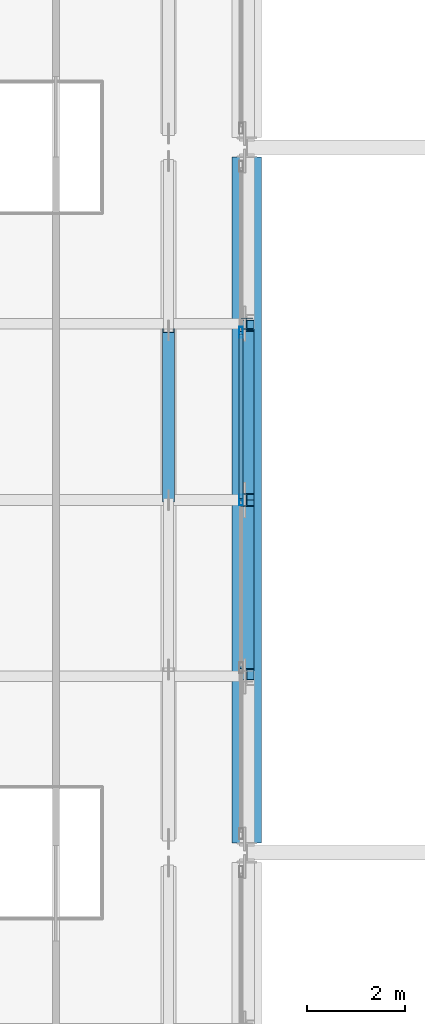
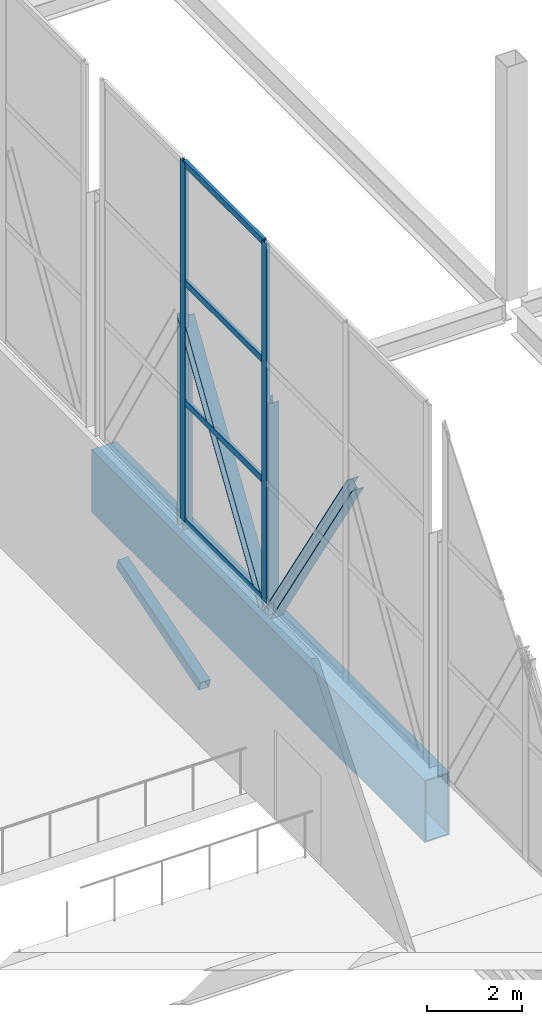
# One storey, part 62 of 191: 11 members, 1 beam, 1 element without a shape of its own.
"""IFC4 building model written with IfcOpenShell, lengths in metres."""

import ifcopenshell
import ifcopenshell.guid

model = None  # the IFC model being written
_history = None  # IfcOwnerHistory: only IFC2X3 demands one
_inside = {}  # id of a spatial element -> (the spatial element, [elements in it])
_under = {}  # id of a project, library or spatial element -> (it, [spatial elements below it])
_declared = {}  # id of a project -> (the project, [libraries it declares])
_typed = {}  # id of a type object -> (the type object, [elements of that type])
_made_of = {}  # id of a material, layer set ... -> (it, [elements and type objects made of it])


def new_model(schema):
    """Start an empty IFC model of exactly this schema.

    Asked for "IFC4X3", IfcOpenShell would pick the latest addendum, in which some entities
    have other attributes; the version numbers below select the first issue.
    IFC2X3 requires an IfcOwnerHistory on every rooted entity: one is made here for all.
    """
    global model, _history
    if schema == "IFC4X3":
        model = ifcopenshell.file(schema_version=(4, 3, 0, 0))
    else:
        model = ifcopenshell.file(schema=schema)
    _inside.clear()
    _under.clear()
    _declared.clear()
    _typed.clear()
    _made_of.clear()
    _history = None
    if model.schema == "IFC2X3":
        org = make("IfcOrganization", Name="unknown")
        user = make(
            "IfcPersonAndOrganization",
            ThePerson=make("IfcPerson", FamilyName="unknown"),
            TheOrganization=org,
        )
        app = make(
            "IfcApplication",
            ApplicationDeveloper=org,
            Version="unknown",
            ApplicationFullName="unknown",
            ApplicationIdentifier="unknown",
        )
        _history = make(
            "IfcOwnerHistory",
            OwningUser=user,
            OwningApplication=app,
            ChangeAction="ADDED",
            CreationDate=0,
        )
    return model


def make(cls, **values):
    """One entity of the class cls with the attributes given. An attribute that is None is left unset."""
    return model.create_entity(
        cls, **{name: value for name, value in values.items() if value is not None}
    )


def rooted(cls, **values):
    """An entity with a GlobalId (a new one), such as an element, a storey or a relation."""
    return make(cls, GlobalId=ifcopenshell.guid.new(), OwnerHistory=_history, **values)


def si_unit(unit_type, name, prefix=None):
    """IfcSIUnit, for example si_unit("LENGTHUNIT", "METRE", prefix="MILLI")."""
    return make("IfcSIUnit", UnitType=unit_type, Prefix=prefix, Name=name)


def assignment(units):
    """IfcUnitAssignment: the units of a project."""
    return None if units is None else make("IfcUnitAssignment", Units=units)


def point(xyz):
    """IfcCartesianPoint."""
    return None if xyz is None else make("IfcCartesianPoint", Coordinates=xyz)


def direction(xyz):
    """IfcDirection."""
    return None if xyz is None else make("IfcDirection", DirectionRatios=xyz)


def frame(location, z_axis=None, x_axis=None):
    """IfcAxis2Placement3D, a coordinate frame: its origin and axes. An axis left out is left unset."""
    return make(
        "IfcAxis2Placement3D",
        Location=point(location),
        Axis=direction(z_axis),
        RefDirection=direction(x_axis),
    )


def frame_2d(location, x_axis=None):
    """IfcAxis2Placement2D, a coordinate frame in the plane: its origin and x axis."""
    return make(
        "IfcAxis2Placement2D", Location=point(location), RefDirection=direction(x_axis)
    )


def origin():
    """The frame at (0, 0, 0) with its axes left unset."""
    return frame((0.0, 0.0, 0.0))


def origin_2d():
    """The frame at (0, 0) in the plane with its x axis left unset."""
    return frame_2d((0.0, 0.0))


def place(relative_to, where):
    """IfcLocalPlacement: puts the frame where relative to a parent placement (None: the world)."""
    return make(
        "IfcLocalPlacement", PlacementRelTo=relative_to, RelativePlacement=where
    )


def context(
    kind, dimensions, precision=None, world=None, true_north=None, identifier=None
):
    """IfcGeometricRepresentationContext, for example the 3D "Model" context."""
    return make(
        "IfcGeometricRepresentationContext",
        ContextIdentifier=identifier,
        ContextType=kind,
        CoordinateSpaceDimension=dimensions,
        Precision=precision,
        WorldCoordinateSystem=world,
        TrueNorth=true_north,
    )


def subcontext(parent, identifier, kind, view, scale=None):
    """IfcGeometricRepresentationSubContext, for example "Body" below "Model"."""
    return make(
        "IfcGeometricRepresentationSubContext",
        ContextIdentifier=identifier,
        ContextType=kind,
        ParentContext=parent,
        TargetScale=scale,
        TargetView=view,
    )


def project(units=None, contexts=None):
    """IfcProject with its units and contexts."""
    return rooted(
        "IfcProject",
        Name="project",
        RepresentationContexts=contexts,
        UnitsInContext=assignment(units),
    )


def spatial(cls, under=None, at=None, **own):
    """A site, building, storey or space (cls), placed at a placement, below another one or the project."""
    s = rooted(cls, ObjectPlacement=at, **own)
    if under is not None:
        _under.setdefault(under.id(), (under, []))[1].append(s)
    return s


def profile(cls, at=None, kind="AREA", **sizes):
    """A parametric profile (cls). Its sizes go by their IFC names, for example OverallWidth=200.0."""
    return make(cls, ProfileType=kind, Position=at, **sizes)


def hollow_rectangle(**sizes):
    """IfcRectangleHollowProfileDef."""
    return profile("IfcRectangleHollowProfileDef", **sizes)


def i_section(**sizes):
    """IfcIShapeProfileDef."""
    return profile("IfcIShapeProfileDef", **sizes)


def extrude(swept, where, along, depth):
    """IfcExtrudedAreaSolid: the profile swept, set in the frame where, extruded along a direction by depth."""
    return make(
        "IfcExtrudedAreaSolid",
        SweptArea=swept,
        Position=where,
        ExtrudedDirection=direction(along),
        Depth=depth,
    )


def shape(context_of_items, identifier, shape_type, items):
    """IfcShapeRepresentation: the items that make up one representation, for example the "Body"."""
    return make(
        "IfcShapeRepresentation",
        ContextOfItems=context_of_items,
        RepresentationIdentifier=identifier,
        RepresentationType=shape_type,
        Items=items,
    )


def material(Name=None, Category=None):
    """IfcMaterial."""
    return make("IfcMaterial", Name=Name, Category=Category)


def layer(
    of_material, thickness, ventilated=None, Name=None, Category=None, Priority=None
):
    """IfcMaterialLayer: one layer of a wall or slab, of a material (None: an air gap)."""
    return make(
        "IfcMaterialLayer",
        Material=of_material,
        LayerThickness=thickness,
        IsVentilated=ventilated,
        Name=Name,
        Category=Category,
        Priority=Priority,
    )


def layer_set(layers, Name=None):
    """IfcMaterialLayerSet."""
    return make("IfcMaterialLayerSet", MaterialLayers=layers, LayerSetName=Name)


def material_profile(
    of_material, cross_section, Name=None, Category=None, Priority=None
):
    """IfcMaterialProfile: a cross section and its material."""
    return make(
        "IfcMaterialProfile",
        Name=Name,
        Material=of_material,
        Profile=cross_section,
        Priority=Priority,
        Category=Category,
    )


def profile_set(profiles, Name=None, composite=None):
    """IfcMaterialProfileSet."""
    return make(
        "IfcMaterialProfileSet",
        Name=Name,
        MaterialProfiles=profiles,
        CompositeProfile=composite,
    )


def made_of(thing, what):
    """Note that an element or type object is made of a material, layer set ...; save() writes the relation."""
    if what is not None:
        _made_of.setdefault(what.id(), (what, []))[1].append(thing)
    return thing


def type_object(cls, material=None, **own):
    """A type object (cls), such as IfcWallType, which elements share."""
    return made_of(rooted(cls, **own), material)


def element(
    cls,
    number,
    at=None,
    inside=None,
    cuts=None,
    type_object=None,
    material=None,
    context=None,
    identifier="Body",
    shape_type=None,
    held_by="IfcProductDefinitionShape",
    body=None,
    shapes=None,
    **own,
):
    """One element of the class cls, such as IfcWall. Its Tag is "e" and its number.

    at: its placement. inside: the storey or other place that contains it. cuts: it is an
    opening in that element (IfcRelVoidsElement). A single representation is given by context,
    identifier, shape_type and body (its items); several are given by shapes. held_by: the class
    of the entity that holds the representations. save() writes the other relations.
    """
    e = rooted(cls, Tag="e%d" % number, ObjectPlacement=at, **own)
    if body is not None:
        shapes = [shape(context, identifier, shape_type, body)]
    if shapes is not None:
        e.Representation = make(held_by, Representations=shapes)
    if inside is not None:
        _inside.setdefault(inside.id(), (inside, []))[1].append(e)
    if cuts is not None:
        rooted(
            "IfcRelVoidsElement", RelatingBuildingElement=cuts, RelatedOpeningElement=e
        )
    if type_object is not None:
        _typed.setdefault(type_object.id(), (type_object, []))[1].append(e)
    return made_of(e, material)


def aggregate(whole, parts):
    """IfcRelAggregates: a whole, such as a stair, and the parts it consists of."""
    return rooted("IfcRelAggregates", RelatingObject=whole, RelatedObjects=parts)


def save(model, path):
    """Write the relations noted so far, then the file.

    IfcRelAggregates (storeys below a building ...), IfcRelContainedInSpatialStructure (elements
    in a storey), IfcRelDefinesByType, IfcRelAssociatesMaterial and IfcRelDeclares: one each for
    every whole, place, type object, material and project.
    """
    for whole, parts in _under.values():
        aggregate(whole, parts)
    for where, things in _inside.values():
        rooted(
            "IfcRelContainedInSpatialStructure",
            RelatedElements=things,
            RelatingStructure=where,
        )
    for kind, things in _typed.values():
        rooted("IfcRelDefinesByType", RelatedObjects=things, RelatingType=kind)
    for what, things in _made_of.values():
        rooted("IfcRelAssociatesMaterial", RelatedObjects=things, RelatingMaterial=what)
    for by, libraries in _declared.values():
        rooted("IfcRelDeclares", RelatingContext=by, RelatedDefinitions=libraries)
    model.write(path)


model = new_model("IFC4")

# Units and contexts
model_context = context("Model", 3, precision=1e-05, world=origin(), true_north=direction((0.0, 1.0)))
body_context = subcontext(model_context, "Body", "Model", "MODEL_VIEW")
ifc_project = project(units=[si_unit("LENGTHUNIT", "METRE"), si_unit("AREAUNIT", "SQUARE_METRE"), si_unit("VOLUMEUNIT", "CUBIC_METRE"), si_unit("PLANEANGLEUNIT", "RADIAN"), si_unit("MASSUNIT", "GRAM", prefix="KILO")], contexts=[model_context])

# Site, building, storey
site_placement = place(None, origin())
site = spatial("IfcSite", under=ifc_project, at=site_placement, CompositionType="ELEMENT")
building_placement = place(site_placement, origin())
building = spatial("IfcBuilding", under=site, at=building_placement, Name="Tamarisk Ironworks Central Station", CompositionType="ELEMENT")
storey_placement = place(building_placement, frame((0.0, 0.0, 6.60009765625)))
storey = spatial("IfcBuildingStorey", under=building, at=storey_placement, Name="L01", CompositionType="ELEMENT", Elevation=6.60009765625)

# Beam
ifc_material_1 = material(Name="Structural steel S355J2", Category="steel")
ifc_material_profile_1 = material_profile(ifc_material_1, hollow_rectangle(XDim=0.60009765625, YDim=1.60009765625, WallThickness=0.031982421875, at=origin_2d()), Name="BOX 600x1600x32")
ifc_profile_set_1 = profile_set([ifc_material_profile_1], Name="Structural steel S355J2")
beam_type = type_object("IfcBeamType", Name="BM-TG01", PredefinedType="USERDEFINED", material=ifc_profile_set_1)
beam_placement = place(storey_placement, frame((108.0, 36.200439453125, -1.10009765625), z_axis=(0.0, 1.0, 0.0), x_axis=(-1.0, 0.0, 0.0)))
element("IfcBeam", 1, at=beam_placement, inside=storey, type_object=beam_type, Name="L01 primary girder Y-0233", ObjectType="TRANSFER GIRDER", PredefinedType="USERDEFINED", context=body_context, shape_type="SweptSolid", body=[
    extrude(hollow_rectangle(XDim=0.60009765625, YDim=1.60009765625, WallThickness=0.031982421875, at=origin_2d()), origin(), (0.0, 0.0, 1.0), 13.9990234375),
])

# Curtain wall, members
ifc_material_2 = material(Name="Anodized aluminium alloy 6063-T6", Category="aluminium")
ifc_layer = layer(ifc_material_2, 0.179931640625)
ifc_layer_set = layer_set([ifc_layer], Name="Anodized aluminium alloy 6063-T6")
curtain_wall_type = type_object("IfcCurtainWallType", Name="CW-06", PredefinedType="USERDEFINED", material=ifc_layer_set)
curtain_wall_placement = place(storey_placement, origin())
curtain_wall = element("IfcCurtainWall", 2, at=curtain_wall_placement, inside=storey, type_object=curtain_wall_type, Name="Concourse E track-overlook curtain wall 03", ObjectType="GLAZED CURTAIN WALL", PredefinedType="USERDEFINED")
ifc_material_profile_2 = material_profile(ifc_material_2, hollow_rectangle(XDim=0.074951171875, YDim=0.219970703125, WallThickness=0.00390625, at=origin_2d()), Name="ALUM 220x75")
ifc_profile_set_2 = profile_set([ifc_material_profile_2], Name="Anodized aluminium alloy 6063-T6")
member_type_1 = type_object("IfcMemberType", Name="CWM-01", PredefinedType="MULLION", material=ifc_profile_set_2)
member_1_placement = place(storey_placement, frame((107.8798828125, 43.199951171875, 0.0), z_axis=(0.0, 0.0, 1.0), x_axis=(-1.0, 0.0, 0.0)))
member_1 = element("IfcMember", 3, at=member_1_placement, type_object=member_type_1, Name="CW06 mullion 3", PredefinedType="MULLION", context=body_context, shape_type="SweptSolid", body=[
    extrude(hollow_rectangle(XDim=0.074951171875, YDim=0.219970703125, WallThickness=0.00390625, at=origin_2d()), origin(), (0.0, 0.0, 1.0), 9.219970703125),
])
member_2_placement = place(storey_placement, frame((107.8798828125, 46.625, 0.0), z_axis=(0.0, 0.0, 1.0), x_axis=(-1.0, 0.0, 0.0)))
member_2 = element("IfcMember", 4, at=member_2_placement, type_object=member_type_1, Name="CW06 mullion 4", PredefinedType="MULLION", context=body_context, shape_type="SweptSolid", body=[
    extrude(hollow_rectangle(XDim=0.074951171875, YDim=0.219970703125, WallThickness=0.00390625, at=origin_2d()), origin(), (0.0, 0.0, 1.0), 9.219970703125),
])
ifc_material_profile_3 = material_profile(ifc_material_2, hollow_rectangle(XDim=0.074951171875, YDim=0.159912109375, WallThickness=0.00390625, at=origin_2d()), Name="ALUM 160x75")
ifc_profile_set_3 = profile_set([ifc_material_profile_3], Name="Anodized aluminium alloy 6063-T6")
member_type_2 = type_object("IfcMemberType", Name="CWT-01", PredefinedType="USERDEFINED", material=ifc_profile_set_3)
member_3_placement = place(storey_placement, frame((107.8798828125, 43.2333984375, 0.037353515625), z_axis=(0.0, 1.0, 0.0), x_axis=(-1.0, 0.0, 0.0)))
member_3 = element("IfcMember", 5, at=member_3_placement, type_object=member_type_2, Name="CW06 transom 3.1", ObjectType="TRANSOM", PredefinedType="USERDEFINED", context=body_context, shape_type="SweptSolid", body=[
    extrude(hollow_rectangle(XDim=0.074951171875, YDim=0.159912109375, WallThickness=0.00390625, at=origin_2d()), origin(), (0.0, 0.0, 1.0), 3.358154296875),
])
member_4_placement = place(storey_placement, frame((107.8798828125, 43.2333984375, 3.0732421875), z_axis=(0.0, 1.0, 0.0), x_axis=(-1.0, 0.0, 0.0)))
member_4 = element("IfcMember", 6, at=member_4_placement, type_object=member_type_2, Name="CW06 transom 3.2", ObjectType="TRANSOM", PredefinedType="USERDEFINED", context=body_context, shape_type="SweptSolid", body=[
    extrude(hollow_rectangle(XDim=0.074951171875, YDim=0.159912109375, WallThickness=0.00390625, at=origin_2d()), origin(), (0.0, 0.0, 1.0), 3.358154296875),
])
member_5_placement = place(storey_placement, frame((107.8798828125, 43.2333984375, 6.146484375), z_axis=(0.0, 1.0, 0.0), x_axis=(-1.0, 0.0, 0.0)))
member_5 = element("IfcMember", 7, at=member_5_placement, type_object=member_type_2, Name="CW06 transom 3.3", ObjectType="TRANSOM", PredefinedType="USERDEFINED", context=body_context, shape_type="SweptSolid", body=[
    extrude(hollow_rectangle(XDim=0.074951171875, YDim=0.159912109375, WallThickness=0.00390625, at=origin_2d()), origin(), (0.0, 0.0, 1.0), 3.358154296875),
])
member_6_placement = place(storey_placement, frame((107.8798828125, 43.2333984375, 9.182373046875), z_axis=(0.0, 1.0, 0.0), x_axis=(-1.0, 0.0, 0.0)))
member_6 = element("IfcMember", 8, at=member_6_placement, type_object=member_type_2, Name="CW06 transom 3.4", ObjectType="TRANSOM", PredefinedType="USERDEFINED", context=body_context, shape_type="SweptSolid", body=[
    extrude(hollow_rectangle(XDim=0.074951171875, YDim=0.159912109375, WallThickness=0.00390625, at=origin_2d()), origin(), (0.0, 0.0, 1.0), 3.358154296875),
])
aggregate(curtain_wall, [member_1, member_2, member_3, member_4, member_5, member_6])

# Members
ifc_material_3 = material(Name="Structural steel S355J2H", Category="steel")
ifc_material_profile_4 = material_profile(ifc_material_3, hollow_rectangle(XDim=0.25, YDim=0.25, WallThickness=0.012451171875, at=origin_2d()), Name="SHS 250x250x12.5")
ifc_profile_set_4 = profile_set([ifc_material_profile_4], Name="Structural steel S355J2H")
member_type_3 = type_object("IfcMemberType", Name="MB-BR01", PredefinedType="BRACE", material=ifc_profile_set_4)
member_7_placement = place(storey_placement, frame((106.39990234375, 43.199951171875, -1.64013671875), z_axis=(0.0, 0.956131332595, 0.292938346467), x_axis=(-1.0, 0.0, 0.0)))
element("IfcMember", 9, at=member_7_placement, inside=storey, type_object=member_type_3, Name="Bridge deck stiffening web brace 195", PredefinedType="BRACE", context=body_context, shape_type="SweptSolid", body=[
    extrude(hollow_rectangle(XDim=0.25, YDim=0.25, WallThickness=0.012451171875, at=origin_2d()), origin(), (0.0, 0.0, 1.0), 3.61865234375),
])
ifc_material_profile_5 = material_profile(ifc_material_1, i_section(OverallWidth=0.280029296875, OverallDepth=0.280029296875, WebThickness=0.010498046875, FlangeThickness=0.01806640625, at=origin_2d()), Name="HEB 280")
ifc_profile_set_5 = profile_set([ifc_material_profile_5], Name="Structural steel S355J2")
member_type_4 = type_object("IfcMemberType", Name="MB-TTD02", PredefinedType="BRACE", material=ifc_profile_set_5)
for number, where, z_axis, x_axis, name in (
    (10, (108.0, 39.639892578125, 5.119873046875), (0.0, 0.539055818311, -0.842270042649), (-1.0, 0.0, 0.0), "Transfer truss diagonal 093"),
    (11, (108.0, 43.239990234375, -0.380126953125), (0.0, 0.539055818311, 0.842270042649), (-1.0, 0.0, 0.0), "Transfer truss diagonal 095"),
):
    element("IfcMember", number, at=place(storey_placement, frame(where, z_axis=z_axis, x_axis=x_axis)), inside=storey, type_object=member_type_4, Name=name, PredefinedType="BRACE", context=body_context, shape_type="SweptSolid", body=[
        extrude(i_section(OverallWidth=0.280029296875, OverallDepth=0.280029296875, WebThickness=0.010498046875, FlangeThickness=0.01806640625, at=origin_2d()), origin(), (0.0, 0.0, 1.0), 6.530029296875),
    ])
ifc_material_profile_6 = material_profile(ifc_material_1, i_section(OverallWidth=0.260009765625, OverallDepth=0.260009765625, WebThickness=0.010009765625, FlangeThickness=0.017578125, at=origin_2d()), Name="HEB 260")
ifc_profile_set_6 = profile_set([ifc_material_profile_6], Name="Structural steel S355J2")
member_type_5 = type_object("IfcMemberType", Name="MB-TTP01", PredefinedType="POST", material=ifc_profile_set_6)
member_8_placement = place(storey_placement, frame((108.0, 43.199951171875, -0.340087890625), z_axis=(0.0, 0.0, 1.0), x_axis=(1.0, 0.0, 0.0)))
element("IfcMember", 12, at=member_8_placement, inside=storey, type_object=member_type_5, Name="Transfer truss vertical post 096", PredefinedType="POST", context=body_context, shape_type="SweptSolid", body=[
    extrude(i_section(OverallWidth=0.260009765625, OverallDepth=0.260009765625, WebThickness=0.010009765625, FlangeThickness=0.017578125, at=origin_2d()), origin(), (0.0, 0.0, 1.0), 5.4599609375),
])
ifc_material_profile_7 = material_profile(ifc_material_1, i_section(OverallWidth=0.239990234375, OverallDepth=0.239990234375, WebThickness=0.010009765625, FlangeThickness=0.01708984375, at=origin_2d()), Name="HEB 240")
ifc_profile_set_7 = profile_set([ifc_material_profile_7], Name="Structural steel S355J2")
member_type_6 = type_object("IfcMemberType", Name="MB-TTP02", PredefinedType="POST", material=ifc_profile_set_7)
member_9_placement = place(storey_placement, frame((108.0, 46.800048828125, -0.340087890625), z_axis=(0.0, 0.0, 1.0), x_axis=(1.0, 0.0, 0.0)))
element("IfcMember", 13, at=member_9_placement, inside=storey, type_object=member_type_6, Name="Transfer truss vertical post 098", PredefinedType="POST", context=body_context, shape_type="SweptSolid", body=[
    extrude(i_section(OverallWidth=0.239990234375, OverallDepth=0.239990234375, WebThickness=0.010009765625, FlangeThickness=0.01708984375, at=origin_2d()), origin(), (0.0, 0.0, 1.0), 5.4599609375),
])

save(model, "model.ifc")
